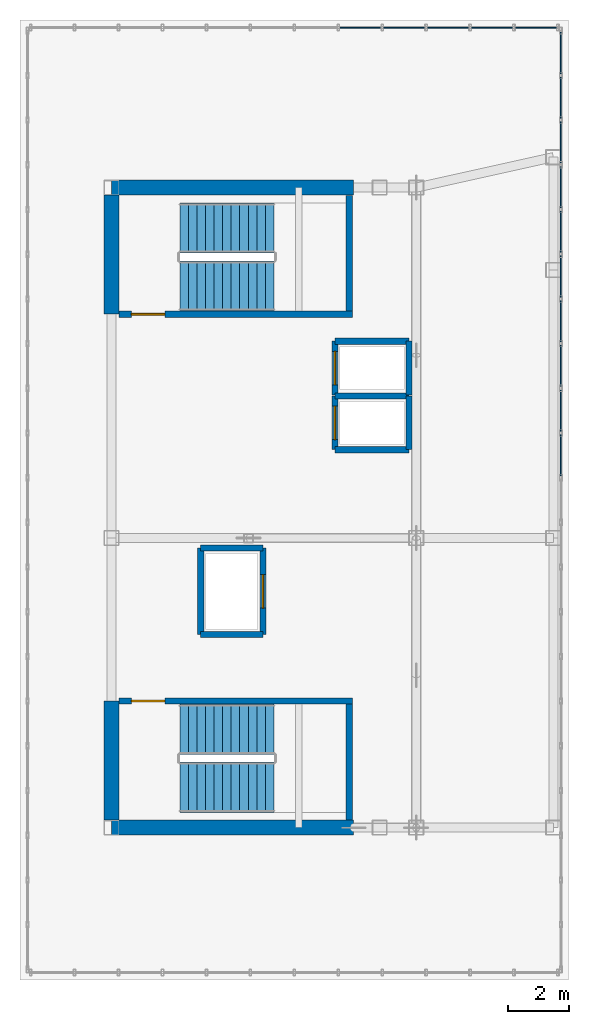
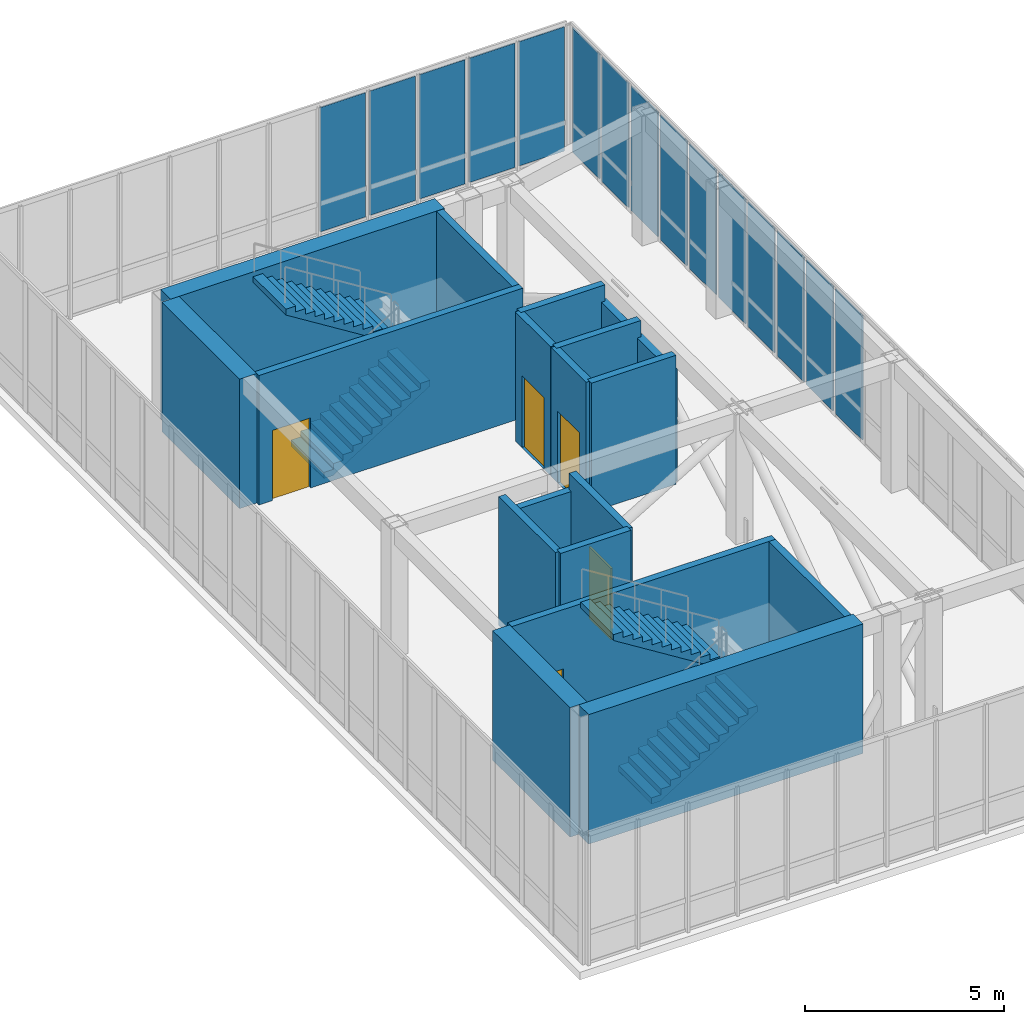
# One storey, part 12 of 13: 19 walls, 15 plates, 5 doors, 4 stair flights, 5 openings, 4 elements without a shape of their own.
"""IFC4 building model written with IfcOpenShell, lengths in metres."""

from ifc_helpers import new_model, si_unit, direction, frame, frame_2d, origin, origin_2d, place, context, subcontext, project, spatial, polyline, rectangle, outline, extrude, source, transform, mapped, material, layer, layer_set, type_object, element, fill, aggregate, save


model = new_model("IFC4")

# Units and contexts
model_context = context("Model", 3, precision=1e-05, world=origin(), true_north=direction((0.0, 1.0)))
body_context = subcontext(model_context, "Body", "Model", "MODEL_VIEW")
ifc_project = project(units=[si_unit("LENGTHUNIT", "METRE"), si_unit("AREAUNIT", "SQUARE_METRE"), si_unit("VOLUMEUNIT", "CUBIC_METRE"), si_unit("PLANEANGLEUNIT", "RADIAN"), si_unit("MASSUNIT", "GRAM", prefix="KILO")], contexts=[model_context])

# Site, building, storey
site_placement = place(None, origin())
site = spatial("IfcSite", under=ifc_project, at=site_placement, CompositionType="ELEMENT")
building_placement = place(site_placement, origin())
building = spatial("IfcBuilding", under=site, at=building_placement, Name="Kharzan Plaza Tower", CompositionType="ELEMENT")
storey_placement = place(building_placement, frame((0.0, 0.0, 285.60009765625)))
storey = spatial("IfcBuildingStorey", under=building, at=storey_placement, Name="L77-CROWN", CompositionType="ELEMENT", Elevation=285.60009765625)

# Curtain wall, plates
ifc_material_1 = material(Name="Unitised Bronze-Anodized Aluminium and Low-E Glass", Category="aluminium")
ifc_layer_1 = layer(ifc_material_1, 0.199951171875)
ifc_layer_set_1 = layer_set([ifc_layer_1], Name="Unitised Bronze-Anodized Aluminium and Low-E Glass")
curtain_wall_type = type_object("IfcCurtainWallType", Name="CW-LANTERN-6", PredefinedType="NOTDEFINED", material=ifc_layer_set_1)
curtain_wall_1_placement = place(storey_placement, origin())
curtain_wall_1 = element("IfcCurtainWall", 1, at=curtain_wall_1_placement, inside=storey, type_object=curtain_wall_type, Name="L77-CROWN Lantern Crown Illuminated Curtain Wall 3", PredefinedType="NOTDEFINED")
ifc_material_2 = material(Name="Low-Iron Fritted Lantern Crown Glazing", Category="glass")
ifc_layer_2 = layer(ifc_material_2, 0.035888671875)
ifc_layer_set_2 = layer_set([ifc_layer_2], Name="Low-Iron Fritted Lantern Crown Glazing")
plate_type = type_object("IfcPlateType", Name="PLT-CW-LANTERN", PredefinedType="CURTAIN_PANEL", material=ifc_layer_set_2)
shared_shape_1 = source(origin(), body_context, "Body", "SweptSolid", [
    extrude(rectangle(XDim=1.32177734375, YDim=0.035888671875, at=origin_2d()), origin(), (0.0, 0.0, 1.0), 3.81005859375),
])
plate_1_placement = place(storey_placement, frame((18.42919921875, 34.75, 0.079833984375), z_axis=(0.0, 0.0, 1.0), x_axis=(-1.0, 0.0, 0.0)))
plate_1 = element("IfcPlate", 2, at=plate_1_placement, type_object=plate_type, Name="L77-CROWN Curtain-Wall Glazed Panel 00", PredefinedType="CURTAIN_PANEL", context=body_context, shape_type="MappedRepresentation", body=[
    mapped(shared_shape_1, transform((0.0, 0.0, 0.0), x_axis=(1.0, 0.0, 0.0), y_axis=(0.0, 1.0, 0.0), z_axis=(0.0, 0.0, 1.0))),
])
plate_2_placement = place(storey_placement, frame((16.987548828125, 34.75, 0.079833984375), z_axis=(0.0, 0.0, 1.0), x_axis=(-1.0, 0.0, 0.0)))
plate_2 = element("IfcPlate", 3, at=plate_2_placement, type_object=plate_type, Name="L77-CROWN Curtain-Wall Glazed Panel 01", PredefinedType="CURTAIN_PANEL", context=body_context, shape_type="MappedRepresentation", body=[
    mapped(shared_shape_1, transform((0.0, 0.0, 0.0), x_axis=(1.0, 0.0, 0.0), y_axis=(0.0, 1.0, 0.0), z_axis=(0.0, 0.0, 1.0))),
])
plate_3_placement = place(storey_placement, frame((15.5458984375, 34.75, 0.079833984375), z_axis=(0.0, 0.0, 1.0), x_axis=(-1.0, 0.0, 0.0)))
plate_3 = element("IfcPlate", 4, at=plate_3_placement, type_object=plate_type, Name="L77-CROWN Curtain-Wall Glazed Panel 02", PredefinedType="CURTAIN_PANEL", context=body_context, shape_type="MappedRepresentation", body=[
    mapped(shared_shape_1, transform((0.0, 0.0, 0.0), x_axis=(1.0, 0.0, 0.0), y_axis=(0.0, 1.0, 0.0), z_axis=(0.0, 0.0, 1.0))),
])
plate_4_placement = place(storey_placement, frame((14.104248046875, 34.75, 0.079833984375), z_axis=(0.0, 0.0, 1.0), x_axis=(-1.0, 0.0, 0.0)))
plate_4 = element("IfcPlate", 5, at=plate_4_placement, type_object=plate_type, Name="L77-CROWN Curtain-Wall Glazed Panel 03", PredefinedType="CURTAIN_PANEL", context=body_context, shape_type="MappedRepresentation", body=[
    mapped(shared_shape_1, transform((0.0, 0.0, 0.0), x_axis=(1.0, 0.0, 0.0), y_axis=(0.0, 1.0, 0.0), z_axis=(0.0, 0.0, 1.0))),
])
plate_5_placement = place(storey_placement, frame((12.66259765625, 34.75, 0.079833984375), z_axis=(0.0, 0.0, 1.0), x_axis=(-1.0, 0.0, 0.0)))
plate_5 = element("IfcPlate", 6, at=plate_5_placement, type_object=plate_type, Name="L77-CROWN Curtain-Wall Glazed Panel 04", PredefinedType="CURTAIN_PANEL", context=body_context, shape_type="MappedRepresentation", body=[
    mapped(shared_shape_1, transform((0.0, 0.0, 0.0), x_axis=(1.0, 0.0, 0.0), y_axis=(0.0, 1.0, 0.0), z_axis=(0.0, 0.0, 1.0))),
])
aggregate(curtain_wall_1, [plate_1, plate_2, plate_3, plate_4, plate_5])

curtain_wall_2_placement = place(storey_placement, origin())
curtain_wall_2 = element("IfcCurtainWall", 7, at=curtain_wall_2_placement, inside=storey, type_object=curtain_wall_type, Name="L77-CROWN Lantern Crown Illuminated Curtain Wall 2", PredefinedType="NOTDEFINED")
shared_shape_2 = source(origin(), body_context, "Body", "SweptSolid", [
    extrude(rectangle(XDim=1.3466796875, YDim=0.035888671875, at=origin_2d()), origin(), (0.0, 0.0, 1.0), 3.81005859375),
])
plate_6_placement = place(storey_placement, frame((19.25, 20.716796875, 0.079833984375), z_axis=(0.0, 0.0, 1.0), x_axis=(0.0, 1.0, 0.0)))
plate_6 = element("IfcPlate", 8, at=plate_6_placement, type_object=plate_type, Name="L77-CROWN Curtain-Wall Glazed Panel 11", PredefinedType="CURTAIN_PANEL", context=body_context, shape_type="MappedRepresentation", body=[
    mapped(shared_shape_2, transform((0.0, 0.0, 0.0), x_axis=(1.0, 0.0, 0.0), y_axis=(0.0, 1.0, 0.0), z_axis=(0.0, 0.0, 1.0))),
])
plate_7_placement = place(storey_placement, frame((19.25, 22.183349609375, 0.079833984375), z_axis=(0.0, 0.0, 1.0), x_axis=(0.0, 1.0, 0.0)))
plate_7 = element("IfcPlate", 9, at=plate_7_placement, type_object=plate_type, Name="L77-CROWN Curtain-Wall Glazed Panel 12", PredefinedType="CURTAIN_PANEL", context=body_context, shape_type="MappedRepresentation", body=[
    mapped(shared_shape_2, transform((0.0, 0.0, 0.0), x_axis=(1.0, 0.0, 0.0), y_axis=(0.0, 1.0, 0.0), z_axis=(0.0, 0.0, 1.0))),
])
plate_8_placement = place(storey_placement, frame((19.25, 23.64990234375, 0.079833984375), z_axis=(0.0, 0.0, 1.0), x_axis=(0.0, 1.0, 0.0)))
plate_8 = element("IfcPlate", 10, at=plate_8_placement, type_object=plate_type, Name="L77-CROWN Curtain-Wall Glazed Panel 13", PredefinedType="CURTAIN_PANEL", context=body_context, shape_type="MappedRepresentation", body=[
    mapped(shared_shape_2, transform((0.0, 0.0, 0.0), x_axis=(1.0, 0.0, 0.0), y_axis=(0.0, 1.0, 0.0), z_axis=(0.0, 0.0, 1.0))),
])
plate_9_placement = place(storey_placement, frame((19.25, 25.11669921875, 0.079833984375), z_axis=(0.0, 0.0, 1.0), x_axis=(0.0, 1.0, 0.0)))
plate_9 = element("IfcPlate", 11, at=plate_9_placement, type_object=plate_type, Name="L77-CROWN Curtain-Wall Glazed Panel 14", PredefinedType="CURTAIN_PANEL", context=body_context, shape_type="MappedRepresentation", body=[
    mapped(shared_shape_2, transform((0.0, 0.0, 0.0), x_axis=(1.0, 0.0, 0.0), y_axis=(0.0, 1.0, 0.0), z_axis=(0.0, 0.0, 1.0))),
])
plate_10_placement = place(storey_placement, frame((19.25, 26.583251953125, 0.079833984375), z_axis=(0.0, 0.0, 1.0), x_axis=(0.0, 1.0, 0.0)))
plate_10 = element("IfcPlate", 12, at=plate_10_placement, type_object=plate_type, Name="L77-CROWN Curtain-Wall Glazed Panel 15", PredefinedType="CURTAIN_PANEL", context=body_context, shape_type="MappedRepresentation", body=[
    mapped(shared_shape_2, transform((0.0, 0.0, 0.0), x_axis=(1.0, 0.0, 0.0), y_axis=(0.0, 1.0, 0.0), z_axis=(0.0, 0.0, 1.0))),
])
plate_11_placement = place(storey_placement, frame((19.25, 28.050048828125, 0.079833984375), z_axis=(0.0, 0.0, 1.0), x_axis=(0.0, 1.0, 0.0)))
plate_11 = element("IfcPlate", 13, at=plate_11_placement, type_object=plate_type, Name="L77-CROWN Curtain-Wall Glazed Panel 16", PredefinedType="CURTAIN_PANEL", context=body_context, shape_type="MappedRepresentation", body=[
    mapped(shared_shape_2, transform((0.0, 0.0, 0.0), x_axis=(1.0, 0.0, 0.0), y_axis=(0.0, 1.0, 0.0), z_axis=(0.0, 0.0, 1.0))),
])
plate_12_placement = place(storey_placement, frame((19.25, 29.5166015625, 0.079833984375), z_axis=(0.0, 0.0, 1.0), x_axis=(0.0, 1.0, 0.0)))
plate_12 = element("IfcPlate", 14, at=plate_12_placement, type_object=plate_type, Name="L77-CROWN Curtain-Wall Glazed Panel 17", PredefinedType="CURTAIN_PANEL", context=body_context, shape_type="MappedRepresentation", body=[
    mapped(shared_shape_2, transform((0.0, 0.0, 0.0), x_axis=(1.0, 0.0, 0.0), y_axis=(0.0, 1.0, 0.0), z_axis=(0.0, 0.0, 1.0))),
])
plate_13_placement = place(storey_placement, frame((19.25, 30.9833984375, 0.079833984375), z_axis=(0.0, 0.0, 1.0), x_axis=(0.0, 1.0, 0.0)))
plate_13 = element("IfcPlate", 15, at=plate_13_placement, type_object=plate_type, Name="L77-CROWN Curtain-Wall Glazed Panel 18", PredefinedType="CURTAIN_PANEL", context=body_context, shape_type="MappedRepresentation", body=[
    mapped(shared_shape_2, transform((0.0, 0.0, 0.0), x_axis=(1.0, 0.0, 0.0), y_axis=(0.0, 1.0, 0.0), z_axis=(0.0, 0.0, 1.0))),
])
plate_14_placement = place(storey_placement, frame((19.25, 32.449951171875, 0.079833984375), z_axis=(0.0, 0.0, 1.0), x_axis=(0.0, 1.0, 0.0)))
plate_14 = element("IfcPlate", 16, at=plate_14_placement, type_object=plate_type, Name="L77-CROWN Curtain-Wall Glazed Panel 19", PredefinedType="CURTAIN_PANEL", context=body_context, shape_type="MappedRepresentation", body=[
    mapped(shared_shape_2, transform((0.0, 0.0, 0.0), x_axis=(1.0, 0.0, 0.0), y_axis=(0.0, 1.0, 0.0), z_axis=(0.0, 0.0, 1.0))),
])
plate_15_placement = place(storey_placement, frame((19.25, 33.916748046875, 0.079833984375), z_axis=(0.0, 0.0, 1.0), x_axis=(0.0, 1.0, 0.0)))
plate_15 = element("IfcPlate", 17, at=plate_15_placement, type_object=plate_type, Name="L77-CROWN Curtain-Wall Glazed Panel 20", PredefinedType="CURTAIN_PANEL", context=body_context, shape_type="MappedRepresentation", body=[
    mapped(shared_shape_2, transform((0.0, 0.0, 0.0), x_axis=(1.0, 0.0, 0.0), y_axis=(0.0, 1.0, 0.0), z_axis=(0.0, 0.0, 1.0))),
])
aggregate(curtain_wall_2, [plate_6, plate_7, plate_8, plate_9, plate_10, plate_11, plate_12, plate_13, plate_14, plate_15])

# Wall, opening, door
ifc_material_3 = material(Name="Concrete C40/50", Category="concrete")
ifc_layer_3 = layer(ifc_material_3, 0.199951171875)
ifc_layer_set_3 = layer_set([ifc_layer_3], Name="Concrete C40/50")
wall_type_1 = type_object("IfcWallType", Name="WL-INT-SHAFT-200", PredefinedType="PARTITIONING", material=ifc_layer_set_3)
wall_1_placement = place(storey_placement, frame((11.830078125, 20.89990234375, 0.0), z_axis=(0.0, 0.0, 1.0), x_axis=(0.0, 1.0, 0.0)))
wall_1 = element("IfcWall", 18, at=wall_1_placement, inside=storey, type_object=wall_type_1, Name="L77-CROWN Interior Partition SHF-FFL-1-W", PredefinedType="PARTITIONING", context=body_context, shape_type="SweptSolid", body=[
    extrude(rectangle(XDim=1.760009765625, YDim=0.199951171875, at=frame_2d((0.8798828125, 0.0))), origin(), (0.0, 0.0, 1.0), 3.954833984375),
])
opening_1_placement = place(wall_1_placement, frame((0.330078125, 0.0, 0.0)))
opening_1 = element("IfcOpeningElement", 19, at=opening_1_placement, cuts=wall_1, Name="Opening LD", PredefinedType="OPENING", context=body_context, shape_type="SweptSolid", body=[
    extrude(rectangle(XDim=1.10009765625, YDim=2.199951171875, at=frame_2d((0.550048828125, 1.10009765625))), frame((0.0, 0.10986328125, 0.0), z_axis=(0.0, -1.0, 0.0), x_axis=(1.0, 0.0, 0.0)), (0.0, 0.0, 1.0), 0.219970703125),
])
ifc_material_4 = material(Name="Brushed Stainless Steel", Category="steel")
door_type_1 = type_object("IfcDoorType", Name="DR-LIFT-SLIDE", OperationType="SLIDING_TO_LEFT", PredefinedType="DOOR", material=ifc_material_4)
shared_shape_3 = source(origin(), body_context, "Body", "SweptSolid", [
    extrude(rectangle(XDim=1.10009765625, YDim=2.199951171875, at=frame_2d((0.550048828125, 1.10009765625))), frame((0.0, 0.02490234375, 0.0), z_axis=(0.0, -1.0, 0.0), x_axis=(1.0, 0.0, 0.0)), (0.0, 0.0, 1.0), 0.050048828125),
])
door_1_placement = place(opening_1_placement, origin())
door_1 = element("IfcDoor", 20, at=door_1_placement, inside=storey, type_object=door_type_1, Name="L77-CROWN Firefighting Lift FFL-1 Sliding Landing Door", OperationType="SLIDING_TO_LEFT", OverallHeight=2.199951171875, OverallWidth=1.10009765625, PredefinedType="DOOR", context=body_context, shape_type="MappedRepresentation", body=[
    mapped(shared_shape_3, transform((0.0, 0.0, 0.0), x_axis=(1.0, 0.0, 0.0), y_axis=(0.0, 1.0, 0.0), z_axis=(0.0, 0.0, 1.0))),
])
fill(opening_1, door_1)

wall_2_placement = place(storey_placement, frame((11.830078125, 22.699951171875, 0.0), z_axis=(0.0, 0.0, 1.0), x_axis=(0.0, 1.0, 0.0)))
wall_2 = element("IfcWall", 21, at=wall_2_placement, inside=storey, type_object=wall_type_1, Name="L77-CROWN Interior Partition SHF-FFL-2-W", PredefinedType="PARTITIONING", context=body_context, shape_type="SweptSolid", body=[
    extrude(rectangle(XDim=1.760009765625, YDim=0.199951171875, at=frame_2d((0.8798828125, 0.0))), origin(), (0.0, 0.0, 1.0), 3.954833984375),
])
opening_2_placement = place(wall_2_placement, frame((0.330078125, 0.0, 0.0)))
opening_2 = element("IfcOpeningElement", 22, at=opening_2_placement, cuts=wall_2, Name="Opening LD", PredefinedType="OPENING", context=body_context, shape_type="SweptSolid", body=[
    extrude(rectangle(XDim=1.10009765625, YDim=2.199951171875, at=frame_2d((0.550048828125, 1.10009765625))), frame((0.0, 0.10986328125, 0.0), z_axis=(0.0, -1.0, 0.0), x_axis=(1.0, 0.0, 0.0)), (0.0, 0.0, 1.0), 0.219970703125),
])
door_2_placement = place(opening_2_placement, origin())
door_2 = element("IfcDoor", 23, at=door_2_placement, inside=storey, type_object=door_type_1, Name="L77-CROWN Firefighting Lift FFL-2 Sliding Landing Door", OperationType="SLIDING_TO_LEFT", OverallHeight=2.199951171875, OverallWidth=1.10009765625, PredefinedType="DOOR", context=body_context, shape_type="MappedRepresentation", body=[
    mapped(shared_shape_3, transform((0.0, 0.0, 0.0), x_axis=(1.0, 0.0, 0.0), y_axis=(0.0, 1.0, 0.0), z_axis=(0.0, 0.0, 1.0))),
])
fill(opening_2, door_2)

wall_3_placement = place(storey_placement, frame((9.469970703125, 14.830078125, 0.0), z_axis=(0.0, 0.0, 1.0), x_axis=(0.0, 1.0, 0.0)))
wall_3 = element("IfcWall", 24, at=wall_3_placement, inside=storey, type_object=wall_type_1, Name="L77-CROWN Interior Partition SHF-SVL-1-E", PredefinedType="PARTITIONING", context=body_context, shape_type="SweptSolid", body=[
    extrude(rectangle(XDim=2.83984375, YDim=0.199951171875, at=frame_2d((1.419921875, 0.0))), origin(), (0.0, 0.0, 1.0), 3.954833984375),
])
opening_3_placement = place(wall_3_placement, frame((0.8701171875, 0.0, 0.0)))
opening_3 = element("IfcOpeningElement", 25, at=opening_3_placement, cuts=wall_3, Name="Opening LD", PredefinedType="OPENING", context=body_context, shape_type="SweptSolid", body=[
    extrude(rectangle(XDim=1.10009765625, YDim=2.199951171875, at=frame_2d((0.550048828125, 1.10009765625))), frame((0.0, 0.10986328125, 0.0), z_axis=(0.0, -1.0, 0.0), x_axis=(1.0, 0.0, 0.0)), (0.0, 0.0, 1.0), 0.219970703125),
])
door_3_placement = place(opening_3_placement, origin())
door_3 = element("IfcDoor", 26, at=door_3_placement, inside=storey, type_object=door_type_1, Name="L77-CROWN Service Lift SVL-1 Sliding Landing Door", OperationType="SLIDING_TO_LEFT", OverallHeight=2.199951171875, OverallWidth=1.10009765625, PredefinedType="DOOR", context=body_context, shape_type="MappedRepresentation", body=[
    mapped(shared_shape_3, transform((0.0, 0.0, 0.0), x_axis=(1.0, 0.0, 0.0), y_axis=(0.0, 1.0, 0.0), z_axis=(0.0, 0.0, 1.0))),
])
fill(opening_3, door_3)

ifc_material_5 = material(Name="Concrete C50/60", Category="concrete")
ifc_layer_4 = layer(ifc_material_5, 0.199951171875)
ifc_layer_set_4 = layer_set([ifc_layer_4], Name="Concrete C50/60")
wall_type_2 = type_object("IfcWallType", Name="WL-SHAFT-RC200", PredefinedType="SHEAR", material=ifc_layer_set_4)
wall_4_placement = place(storey_placement, frame((4.751953125, 12.655029296875, 0.0), z_axis=(0.0, 0.0, 1.0), x_axis=(1.0, 0.0, 0.0)))
wall_4 = element("IfcWall", 27, at=wall_4_placement, inside=storey, type_object=wall_type_2, Name="L77-CROWN Stair ST-1 North RC Shaft Wall", PredefinedType="SHEAR", context=body_context, shape_type="SweptSolid", body=[
    extrude(rectangle(XDim=7.653076171875, YDim=0.199951171875, at=frame_2d((3.82666015625, 0.0))), origin(), (0.0, 0.0, 1.0), 3.969970703125),
])
opening_4_placement = place(wall_4_placement, frame((0.39990234375, 0.0, 0.0)))
opening_4 = element("IfcOpeningElement", 28, at=opening_4_placement, cuts=wall_4, Name="Opening SD1", PredefinedType="OPENING", context=body_context, shape_type="SweptSolid", body=[
    extrude(rectangle(XDim=1.10009765625, YDim=2.14990234375, at=frame_2d((0.550048828125, 1.074951171875))), frame((0.0, 0.10986328125, 0.0), z_axis=(0.0, -1.0, 0.0), x_axis=(1.0, 0.0, 0.0)), (0.0, 0.0, 1.0), 0.219970703125),
])
ifc_material_6 = material(Name="Fire-Rated Hollow Galvanized Steel", Category="steel")
door_type_2 = type_object("IfcDoorType", Name="DR-STAIR-FD120", OperationType="NOTDEFINED", PredefinedType="DOOR", material=ifc_material_6)
shared_shape_4 = source(origin(), body_context, "Body", "SweptSolid", [
    extrude(rectangle(XDim=1.10009765625, YDim=2.14990234375, at=frame_2d((0.550048828125, 1.074951171875))), frame((0.0, 0.02490234375, 0.0), z_axis=(0.0, -1.0, 0.0), x_axis=(1.0, 0.0, 0.0)), (0.0, 0.0, 1.0), 0.050048828125),
])
door_4_placement = place(opening_4_placement, origin())
door_4 = element("IfcDoor", 29, at=door_4_placement, inside=storey, type_object=door_type_2, Name="L77-CROWN Stair ST-1 Fire Exit Door", OperationType="SINGLE_SWING_RIGHT", OverallHeight=2.14990234375, OverallWidth=1.10009765625, PredefinedType="DOOR", context=body_context, shape_type="MappedRepresentation", body=[
    mapped(shared_shape_4, transform((0.0, 0.0, 0.0), x_axis=(1.0, 0.0, 0.0), y_axis=(0.0, 1.0, 0.0), z_axis=(0.0, 0.0, 1.0))),
])
fill(opening_4, door_4)

wall_5_placement = place(storey_placement, frame((4.751953125, 25.344970703125, 0.0), z_axis=(0.0, 0.0, 1.0), x_axis=(1.0, 0.0, 0.0)))
wall_5 = element("IfcWall", 30, at=wall_5_placement, inside=storey, type_object=wall_type_2, Name="L77-CROWN Stair ST-2 South RC Shaft Wall", PredefinedType="SHEAR", context=body_context, shape_type="SweptSolid", body=[
    extrude(rectangle(XDim=7.653076171875, YDim=0.199951171875, at=frame_2d((3.82666015625, 0.0))), origin(), (0.0, 0.0, 1.0), 3.969970703125),
])
opening_5_placement = place(wall_5_placement, frame((0.39990234375, 0.0, 0.0)))
opening_5 = element("IfcOpeningElement", 31, at=opening_5_placement, cuts=wall_5, Name="Opening SD1", PredefinedType="OPENING", context=body_context, shape_type="SweptSolid", body=[
    extrude(rectangle(XDim=1.10009765625, YDim=2.14990234375, at=frame_2d((0.550048828125, 1.074951171875))), frame((0.0, 0.10986328125, 0.0), z_axis=(0.0, -1.0, 0.0), x_axis=(1.0, 0.0, 0.0)), (0.0, 0.0, 1.0), 0.219970703125),
])
door_5_placement = place(opening_5_placement, origin())
door_5 = element("IfcDoor", 32, at=door_5_placement, inside=storey, type_object=door_type_2, Name="L77-CROWN Stair ST-2 Fire Exit Door", OperationType="SINGLE_SWING_LEFT", OverallHeight=2.14990234375, OverallWidth=1.10009765625, PredefinedType="DOOR", context=body_context, shape_type="MappedRepresentation", body=[
    mapped(shared_shape_4, transform((0.0, 0.0, 0.0), x_axis=(1.0, 0.0, 0.0), y_axis=(0.0, 1.0, 0.0), z_axis=(0.0, 0.0, 1.0))),
])
fill(opening_5, door_5)

# Walls
ifc_layer_5 = layer(ifc_material_5, 0.5)
ifc_layer_set_5 = layer_set([ifc_layer_5], Name="Concrete C50/60")
wall_type_3 = type_object("IfcWallType", Name="WL-CORE-500", PredefinedType="SHEAR", material=ifc_layer_set_5)
shared_shape_5 = source(origin(), body_context, "Body", "SweptSolid", [
    extrude(rectangle(XDim=7.949951171875, YDim=0.5, at=frame_2d((3.97509765625, 0.0))), origin(), (0.0, 0.0, 1.0), 3.969970703125),
])
for number, where, z_axis, x_axis, name in (
    (33, (4.5, 8.5, 0.0), (0.0, 0.0, 1.0), (1.0, 0.0, 0.0), "L77-CROWN Stair ST-1 South RC Shear Wall"),
    (34, (4.5, 29.5, 0.0), (0.0, 0.0, 1.0), (1.0, 0.0, 0.0), "L77-CROWN Stair ST-2 North RC Shear Wall"),
):
    element("IfcWall", number, at=place(storey_placement, frame(where, z_axis=z_axis, x_axis=x_axis)), inside=storey, type_object=wall_type_3, Name=name, PredefinedType="SHEAR", context=body_context, shape_type="MappedRepresentation", body=[
        mapped(shared_shape_5, transform((0.0, 0.0, 0.0), x_axis=(1.0, 0.0, 0.0), y_axis=(0.0, 1.0, 0.0), z_axis=(0.0, 0.0, 1.0))),
    ])
shared_shape_6 = source(origin(), body_context, "Body", "SweptSolid", [
    extrude(rectangle(XDim=3.89990234375, YDim=0.5, at=frame_2d((1.949951171875, 0.0))), origin(), (0.0, 0.0, 1.0), 3.969970703125),
])
for number, where, z_axis, x_axis, name in (
    (35, (4.5, 8.75, 0.0), (0.0, 0.0, 1.0), (0.0, 1.0, 0.0), "L77-CROWN Stair ST-1 West RC Shear Wall"),
    (36, (4.5, 25.35009765625, 0.0), (0.0, 0.0, 1.0), (0.0, 1.0, 0.0), "L77-CROWN Stair ST-2 West RC Shear Wall"),
):
    element("IfcWall", number, at=place(storey_placement, frame(where, z_axis=z_axis, x_axis=x_axis)), inside=storey, type_object=wall_type_3, Name=name, PredefinedType="SHEAR", context=body_context, shape_type="MappedRepresentation", body=[
        mapped(shared_shape_6, transform((0.0, 0.0, 0.0), x_axis=(1.0, 0.0, 0.0), y_axis=(0.0, 1.0, 0.0), z_axis=(0.0, 0.0, 1.0))),
    ])
shared_shape_7 = source(origin(), body_context, "Body", "SweptSolid", [
    extrude(rectangle(XDim=3.802978515625, YDim=0.199951171875, at=frame_2d((1.9013671875, 0.0))), origin(), (0.0, 0.0, 1.0), 3.969970703125),
])
for number, where, z_axis, x_axis, name in (
    (37, (12.304931640625, 8.751953125, 0.0), (0.0, 0.0, 1.0), (0.0, 1.0, 0.0), "L77-CROWN Stair ST-1 East RC Shaft Wall"),
    (38, (12.304931640625, 25.445068359375, 0.0), (0.0, 0.0, 1.0), (0.0, 1.0, 0.0), "L77-CROWN Stair ST-2 East RC Shaft Wall"),
):
    element("IfcWall", number, at=place(storey_placement, frame(where, z_axis=z_axis, x_axis=x_axis)), inside=storey, type_object=wall_type_2, Name=name, PredefinedType="SHEAR", context=body_context, shape_type="MappedRepresentation", body=[
        mapped(shared_shape_7, transform((0.0, 0.0, 0.0), x_axis=(1.0, 0.0, 0.0), y_axis=(0.0, 1.0, 0.0), z_axis=(0.0, 0.0, 1.0))),
    ])
shared_shape_8 = source(origin(), body_context, "Body", "SweptSolid", [
    extrude(rectangle(XDim=1.760009765625, YDim=0.199951171875, at=frame_2d((0.8798828125, 0.0))), origin(), (0.0, 0.0, 1.0), 3.454833984375),
])
for number, where, z_axis, x_axis, name in (
    (39, (14.27001953125, 20.89990234375, 0.0), (0.0, 0.0, 1.0), (0.0, 1.0, 0.0), "L77-CROWN Interior Partition SHF-FFL-1-E"),
    (40, (14.27001953125, 22.699951171875, 0.0), (0.0, 0.0, 1.0), (0.0, 1.0, 0.0), "L77-CROWN Interior Partition SHF-FFL-2-E"),
):
    element("IfcWall", number, at=place(storey_placement, frame(where, z_axis=z_axis, x_axis=x_axis)), inside=storey, type_object=wall_type_1, Name=name, PredefinedType="PARTITIONING", context=body_context, shape_type="MappedRepresentation", body=[
        mapped(shared_shape_8, transform((0.0, 0.0, 0.0), x_axis=(1.0, 0.0, 0.0), y_axis=(0.0, 1.0, 0.0), z_axis=(0.0, 0.0, 1.0))),
    ])
shared_shape_9 = source(origin(), body_context, "Body", "SweptSolid", [
    extrude(rectangle(XDim=2.43994140625, YDim=0.199951171875, at=frame_2d((1.219970703125, 0.0))), origin(), (0.0, 0.0, 1.0), 3.954833984375),
])
for number, where, z_axis, x_axis, name in (
    (41, (11.830078125, 22.659912109375, 0.0), (0.0, 0.0, 1.0), (1.0, 0.0, 0.0), "L77-CROWN Interior Partition SHF-FFL-1-N"),
    (42, (11.830078125, 20.89990234375, 0.0), (0.0, 0.0, 1.0), (1.0, 0.0, 0.0), "L77-CROWN Interior Partition SHF-FFL-1-S"),
    (43, (11.830078125, 24.4599609375, 0.0), (0.0, 0.0, 1.0), (1.0, 0.0, 0.0), "L77-CROWN Interior Partition SHF-FFL-2-N"),
):
    element("IfcWall", number, at=place(storey_placement, frame(where, z_axis=z_axis, x_axis=x_axis)), inside=storey, type_object=wall_type_1, Name=name, PredefinedType="PARTITIONING", context=body_context, shape_type="MappedRepresentation", body=[
        mapped(shared_shape_9, transform((0.0, 0.0, 0.0), x_axis=(1.0, 0.0, 0.0), y_axis=(0.0, 1.0, 0.0), z_axis=(0.0, 0.0, 1.0))),
    ])
shared_shape_10 = source(origin(), body_context, "Body", "SweptSolid", [
    extrude(rectangle(XDim=2.0400390625, YDim=0.199951171875, at=frame_2d((1.02001953125, 0.0))), origin(), (0.0, 0.0, 1.0), 3.454833984375),
])
wall_6_placement = place(storey_placement, frame((7.429931640625, 17.669921875, 0.0), z_axis=(0.0, 0.0, 1.0), x_axis=(1.0, 0.0, 0.0)))
element("IfcWall", 44, at=wall_6_placement, inside=storey, type_object=wall_type_1, Name="L77-CROWN Interior Partition SHF-SVL-1-N", PredefinedType="PARTITIONING", context=body_context, shape_type="MappedRepresentation", body=[
    mapped(shared_shape_10, transform((0.0, 0.0, 0.0), x_axis=(1.0, 0.0, 0.0), y_axis=(0.0, 1.0, 0.0), z_axis=(0.0, 0.0, 1.0))),
])
shared_shape_11 = source(origin(), body_context, "Body", "SweptSolid", [
    extrude(rectangle(XDim=2.0400390625, YDim=0.199951171875, at=frame_2d((1.02001953125, 0.0))), origin(), (0.0, 0.0, 1.0), 3.954833984375),
])
wall_7_placement = place(storey_placement, frame((7.429931640625, 14.830078125, 0.0), z_axis=(0.0, 0.0, 1.0), x_axis=(1.0, 0.0, 0.0)))
element("IfcWall", 45, at=wall_7_placement, inside=storey, type_object=wall_type_1, Name="L77-CROWN Interior Partition SHF-SVL-1-S", PredefinedType="PARTITIONING", context=body_context, shape_type="MappedRepresentation", body=[
    mapped(shared_shape_11, transform((0.0, 0.0, 0.0), x_axis=(1.0, 0.0, 0.0), y_axis=(0.0, 1.0, 0.0), z_axis=(0.0, 0.0, 1.0))),
])
shared_shape_12 = source(origin(), body_context, "Body", "SweptSolid", [
    extrude(rectangle(XDim=2.83984375, YDim=0.199951171875, at=frame_2d((1.419921875, 0.0))), origin(), (0.0, 0.0, 1.0), 3.954833984375),
])
wall_8_placement = place(storey_placement, frame((7.429931640625, 14.830078125, 0.0), z_axis=(0.0, 0.0, 1.0), x_axis=(0.0, 1.0, 0.0)))
element("IfcWall", 46, at=wall_8_placement, inside=storey, type_object=wall_type_1, Name="L77-CROWN Interior Partition SHF-SVL-1-W", PredefinedType="PARTITIONING", context=body_context, shape_type="MappedRepresentation", body=[
    mapped(shared_shape_12, transform((0.0, 0.0, 0.0), x_axis=(1.0, 0.0, 0.0), y_axis=(0.0, 1.0, 0.0), z_axis=(0.0, 0.0, 1.0))),
])

# Stair, stair flights
stair_type_1 = type_object("IfcStairType", Name="STR-ST-1", PredefinedType="HALF_TURN_STAIR", material=ifc_material_3)
stair_1_placement = place(storey_placement, origin())
stair_1 = element("IfcStair", 47, at=stair_1_placement, inside=storey, type_object=stair_type_1, Name="L77-CROWN Protected Exit Stair ST-1", PredefinedType="HALF_TURN_STAIR")
stair_flight_type = type_object("IfcStairFlightType", Name="SFL-1650-R173", PredefinedType="STRAIGHT", material=ifc_material_3)
shared_shape_13 = source(origin(), body_context, "Body", "SweptSolid", [
    extrude(outline(polyline([(-0.0029296875, -0.011962890625), (-0.0029296875, 0.0), (0.0, 0.0), (0.0, 0.175048828125), (0.280029296875, 0.175048828125), (0.280029296875, 0.35009765625), (0.56005859375, 0.35009765625), (0.56005859375, 0.525146484375), (0.840087890625, 0.525146484375), (0.840087890625, 0.7001953125), (1.1201171875, 0.7001953125), (1.1201171875, 0.875244140625), (1.400146484375, 0.875244140625), (1.400146484375, 1.05029296875), (1.68017578125, 1.05029296875), (1.68017578125, 1.225341796875), (1.960205078125, 1.225341796875), (1.960205078125, 1.400390625), (2.240234375, 1.400390625), (2.240234375, 1.575439453125), (2.520263671875, 1.575439453125), (2.520263671875, 1.75048828125), (2.80029296875, 1.75048828125), (2.80029296875, 1.925537109375), (3.080322265625, 1.925537109375), (3.080322265625, 2.1005859375), (3.080322265625, 1.748779296875), (0.28271484375, 0.0), (0.28271484375, -0.011962890625), (-0.0029296875, -0.011962890625)])), frame((0.0, 0.824951171875, 0.0), z_axis=(0.0, -1.0, 0.0), x_axis=(1.0, 0.0, 0.0)), (0.0, 0.0, 1.0), 1.64990234375),
])
stair_flight_1_placement = place(storey_placement, frame((6.75, 9.824951171875, 0.0), z_axis=(0.0, 0.0, 1.0), x_axis=(1.0, 0.0, 0.0)))
stair_flight_1 = element("IfcStairFlight", 48, at=stair_flight_1_placement, type_object=stair_flight_type, Name="ST-1 flight 1", NumberOfRisers=12, NumberOfTreads=11, PredefinedType="STRAIGHT", RiserHeight=0.175, TreadLength=0.28, context=body_context, shape_type="MappedRepresentation", body=[
    mapped(shared_shape_13, transform((0.0, 0.0, 0.0), x_axis=(1.0, 0.0, 0.0), y_axis=(0.0, 1.0, 0.0), z_axis=(0.0, 0.0, 1.0))),
])
stair_flight_2_placement = place(storey_placement, frame((9.830078125, 11.72509765625, 2.099853515625), z_axis=(0.0, 0.0, 1.0), x_axis=(-1.0, 0.0, 0.0)))
stair_flight_2 = element("IfcStairFlight", 49, at=stair_flight_2_placement, type_object=stair_flight_type, Name="ST-1 flight 2", NumberOfRisers=12, NumberOfTreads=11, PredefinedType="STRAIGHT", RiserHeight=0.175, TreadLength=0.28, context=body_context, shape_type="MappedRepresentation", body=[
    mapped(shared_shape_13, transform((0.0, 0.0, 0.0), x_axis=(1.0, 0.0, 0.0), y_axis=(0.0, 1.0, 0.0), z_axis=(0.0, 0.0, 1.0))),
])
aggregate(stair_1, [stair_flight_1, stair_flight_2])

stair_type_2 = type_object("IfcStairType", Name="STR-ST-2", PredefinedType="HALF_TURN_STAIR", material=ifc_material_3)
stair_2_placement = place(storey_placement, origin())
stair_2 = element("IfcStair", 50, at=stair_2_placement, inside=storey, type_object=stair_type_2, Name="L77-CROWN Protected Exit Stair ST-2", PredefinedType="HALF_TURN_STAIR")
stair_flight_3_placement = place(storey_placement, frame((6.75, 26.27490234375, 0.0), z_axis=(0.0, 0.0, 1.0), x_axis=(1.0, 0.0, 0.0)))
stair_flight_3 = element("IfcStairFlight", 51, at=stair_flight_3_placement, type_object=stair_flight_type, Name="ST-2 flight 1", NumberOfRisers=12, NumberOfTreads=11, PredefinedType="STRAIGHT", RiserHeight=0.175, TreadLength=0.28, context=body_context, shape_type="MappedRepresentation", body=[
    mapped(shared_shape_13, transform((0.0, 0.0, 0.0), x_axis=(1.0, 0.0, 0.0), y_axis=(0.0, 1.0, 0.0), z_axis=(0.0, 0.0, 1.0))),
])
stair_flight_4_placement = place(storey_placement, frame((9.830078125, 28.175048828125, 2.099853515625), z_axis=(0.0, 0.0, 1.0), x_axis=(-1.0, 0.0, 0.0)))
stair_flight_4 = element("IfcStairFlight", 52, at=stair_flight_4_placement, type_object=stair_flight_type, Name="ST-2 flight 2", NumberOfRisers=12, NumberOfTreads=11, PredefinedType="STRAIGHT", RiserHeight=0.175, TreadLength=0.28, context=body_context, shape_type="MappedRepresentation", body=[
    mapped(shared_shape_13, transform((0.0, 0.0, 0.0), x_axis=(1.0, 0.0, 0.0), y_axis=(0.0, 1.0, 0.0), z_axis=(0.0, 0.0, 1.0))),
])
aggregate(stair_2, [stair_flight_3, stair_flight_4])

save(model, "model.ifc")
